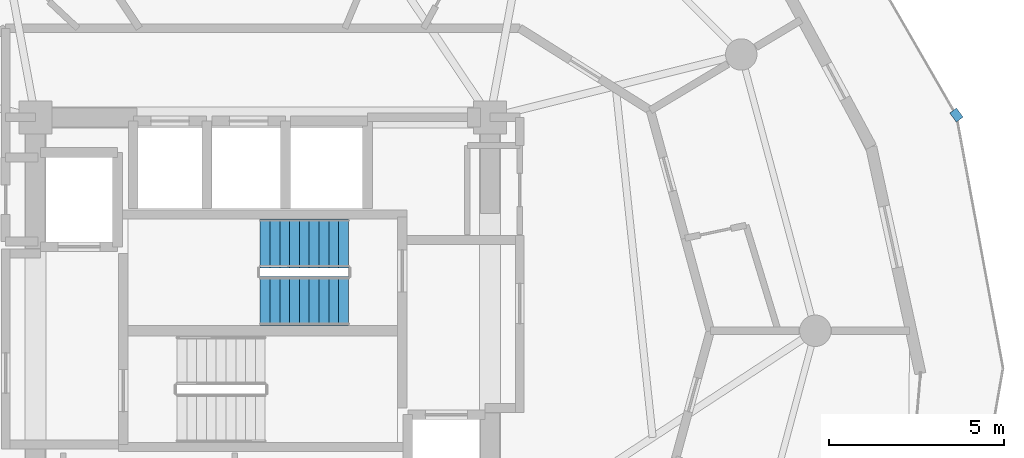
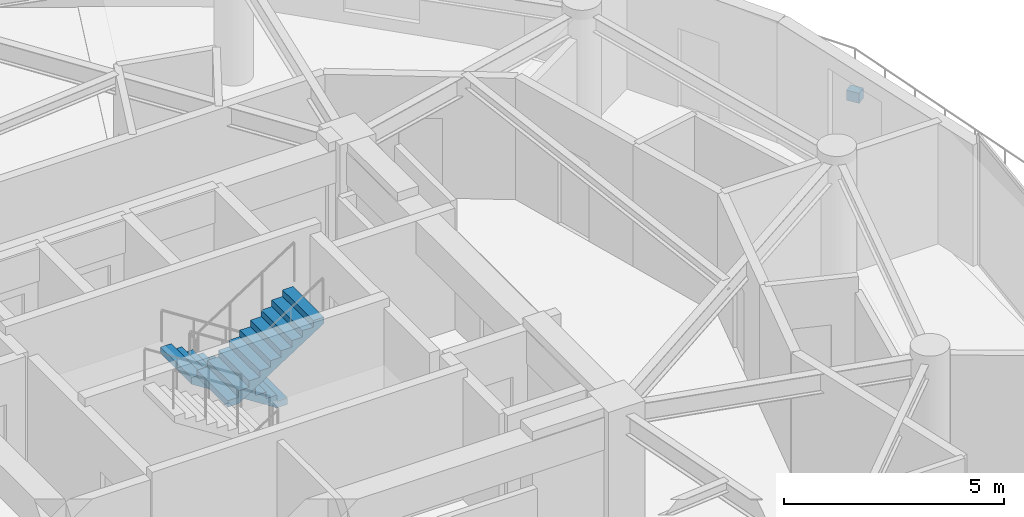
# One storey, part 21 of 23: 2 stair flights, 1 discrete accessory, 1 element without a shape of its own.
"""IFC4 building model written with IfcOpenShell, lengths in metres."""

import ifcopenshell
import ifcopenshell.guid

model = None  # the IFC model being written
_history = None  # IfcOwnerHistory: only IFC2X3 demands one
_inside = {}  # id of a spatial element -> (the spatial element, [elements in it])
_under = {}  # id of a project, library or spatial element -> (it, [spatial elements below it])
_declared = {}  # id of a project -> (the project, [libraries it declares])
_typed = {}  # id of a type object -> (the type object, [elements of that type])
_made_of = {}  # id of a material, layer set ... -> (it, [elements and type objects made of it])


def new_model(schema):
    """Start an empty IFC model of exactly this schema.

    Asked for "IFC4X3", IfcOpenShell would pick the latest addendum, in which some entities
    have other attributes; the version numbers below select the first issue.
    IFC2X3 requires an IfcOwnerHistory on every rooted entity: one is made here for all.
    """
    global model, _history
    if schema == "IFC4X3":
        model = ifcopenshell.file(schema_version=(4, 3, 0, 0))
    else:
        model = ifcopenshell.file(schema=schema)
    _inside.clear()
    _under.clear()
    _declared.clear()
    _typed.clear()
    _made_of.clear()
    _history = None
    if model.schema == "IFC2X3":
        org = make("IfcOrganization", Name="unknown")
        user = make(
            "IfcPersonAndOrganization",
            ThePerson=make("IfcPerson", FamilyName="unknown"),
            TheOrganization=org,
        )
        app = make(
            "IfcApplication",
            ApplicationDeveloper=org,
            Version="unknown",
            ApplicationFullName="unknown",
            ApplicationIdentifier="unknown",
        )
        _history = make(
            "IfcOwnerHistory",
            OwningUser=user,
            OwningApplication=app,
            ChangeAction="ADDED",
            CreationDate=0,
        )
    return model


def make(cls, **values):
    """One entity of the class cls with the attributes given. An attribute that is None is left unset."""
    return model.create_entity(
        cls, **{name: value for name, value in values.items() if value is not None}
    )


def rooted(cls, **values):
    """An entity with a GlobalId (a new one), such as an element, a storey or a relation."""
    return make(cls, GlobalId=ifcopenshell.guid.new(), OwnerHistory=_history, **values)


def si_unit(unit_type, name, prefix=None):
    """IfcSIUnit, for example si_unit("LENGTHUNIT", "METRE", prefix="MILLI")."""
    return make("IfcSIUnit", UnitType=unit_type, Prefix=prefix, Name=name)


def assignment(units):
    """IfcUnitAssignment: the units of a project."""
    return None if units is None else make("IfcUnitAssignment", Units=units)


def point(xyz):
    """IfcCartesianPoint."""
    return None if xyz is None else make("IfcCartesianPoint", Coordinates=xyz)


def direction(xyz):
    """IfcDirection."""
    return None if xyz is None else make("IfcDirection", DirectionRatios=xyz)


def frame(location, z_axis=None, x_axis=None):
    """IfcAxis2Placement3D, a coordinate frame: its origin and axes. An axis left out is left unset."""
    return make(
        "IfcAxis2Placement3D",
        Location=point(location),
        Axis=direction(z_axis),
        RefDirection=direction(x_axis),
    )


def frame_2d(location, x_axis=None):
    """IfcAxis2Placement2D, a coordinate frame in the plane: its origin and x axis."""
    return make(
        "IfcAxis2Placement2D", Location=point(location), RefDirection=direction(x_axis)
    )


def origin():
    """The frame at (0, 0, 0) with its axes left unset."""
    return frame((0.0, 0.0, 0.0))


def origin_2d():
    """The frame at (0, 0) in the plane with its x axis left unset."""
    return frame_2d((0.0, 0.0))


def place(relative_to, where):
    """IfcLocalPlacement: puts the frame where relative to a parent placement (None: the world)."""
    return make(
        "IfcLocalPlacement", PlacementRelTo=relative_to, RelativePlacement=where
    )


def context(
    kind, dimensions, precision=None, world=None, true_north=None, identifier=None
):
    """IfcGeometricRepresentationContext, for example the 3D "Model" context."""
    return make(
        "IfcGeometricRepresentationContext",
        ContextIdentifier=identifier,
        ContextType=kind,
        CoordinateSpaceDimension=dimensions,
        Precision=precision,
        WorldCoordinateSystem=world,
        TrueNorth=true_north,
    )


def subcontext(parent, identifier, kind, view, scale=None):
    """IfcGeometricRepresentationSubContext, for example "Body" below "Model"."""
    return make(
        "IfcGeometricRepresentationSubContext",
        ContextIdentifier=identifier,
        ContextType=kind,
        ParentContext=parent,
        TargetScale=scale,
        TargetView=view,
    )


def project(units=None, contexts=None):
    """IfcProject with its units and contexts."""
    return rooted(
        "IfcProject",
        Name="project",
        RepresentationContexts=contexts,
        UnitsInContext=assignment(units),
    )


def spatial(cls, under=None, at=None, **own):
    """A site, building, storey or space (cls), placed at a placement, below another one or the project."""
    s = rooted(cls, ObjectPlacement=at, **own)
    if under is not None:
        _under.setdefault(under.id(), (under, []))[1].append(s)
    return s


def polyline(points):
    """IfcPolyline through the points."""
    return make("IfcPolyline", Points=[point(p) for p in points])


def profile(cls, at=None, kind="AREA", **sizes):
    """A parametric profile (cls). Its sizes go by their IFC names, for example OverallWidth=200.0."""
    return make(cls, ProfileType=kind, Position=at, **sizes)


def rectangle(**sizes):
    """IfcRectangleProfileDef."""
    return profile("IfcRectangleProfileDef", **sizes)


def outline(outer, holes=None, kind="AREA"):
    """IfcArbitraryClosedProfileDef: a profile drawn as a closed curve; with holes, ...WithVoids."""
    if holes is None:
        return make("IfcArbitraryClosedProfileDef", ProfileType=kind, OuterCurve=outer)
    return make(
        "IfcArbitraryProfileDefWithVoids",
        ProfileType=kind,
        OuterCurve=outer,
        InnerCurves=holes,
    )


def extrude(swept, where, along, depth):
    """IfcExtrudedAreaSolid: the profile swept, set in the frame where, extruded along a direction by depth."""
    return make(
        "IfcExtrudedAreaSolid",
        SweptArea=swept,
        Position=where,
        ExtrudedDirection=direction(along),
        Depth=depth,
    )


def shape(context_of_items, identifier, shape_type, items):
    """IfcShapeRepresentation: the items that make up one representation, for example the "Body"."""
    return make(
        "IfcShapeRepresentation",
        ContextOfItems=context_of_items,
        RepresentationIdentifier=identifier,
        RepresentationType=shape_type,
        Items=items,
    )


def material(Name=None, Category=None):
    """IfcMaterial."""
    return make("IfcMaterial", Name=Name, Category=Category)


def made_of(thing, what):
    """Note that an element or type object is made of a material, layer set ...; save() writes the relation."""
    if what is not None:
        _made_of.setdefault(what.id(), (what, []))[1].append(thing)
    return thing


def type_object(cls, material=None, **own):
    """A type object (cls), such as IfcWallType, which elements share."""
    return made_of(rooted(cls, **own), material)


def element(
    cls,
    number,
    at=None,
    inside=None,
    cuts=None,
    type_object=None,
    material=None,
    context=None,
    identifier="Body",
    shape_type=None,
    held_by="IfcProductDefinitionShape",
    body=None,
    shapes=None,
    **own,
):
    """One element of the class cls, such as IfcWall. Its Tag is "e" and its number.

    at: its placement. inside: the storey or other place that contains it. cuts: it is an
    opening in that element (IfcRelVoidsElement). A single representation is given by context,
    identifier, shape_type and body (its items); several are given by shapes. held_by: the class
    of the entity that holds the representations. save() writes the other relations.
    """
    e = rooted(cls, Tag="e%d" % number, ObjectPlacement=at, **own)
    if body is not None:
        shapes = [shape(context, identifier, shape_type, body)]
    if shapes is not None:
        e.Representation = make(held_by, Representations=shapes)
    if inside is not None:
        _inside.setdefault(inside.id(), (inside, []))[1].append(e)
    if cuts is not None:
        rooted(
            "IfcRelVoidsElement", RelatingBuildingElement=cuts, RelatedOpeningElement=e
        )
    if type_object is not None:
        _typed.setdefault(type_object.id(), (type_object, []))[1].append(e)
    return made_of(e, material)


def aggregate(whole, parts):
    """IfcRelAggregates: a whole, such as a stair, and the parts it consists of."""
    return rooted("IfcRelAggregates", RelatingObject=whole, RelatedObjects=parts)


def save(model, path):
    """Write the relations noted so far, then the file.

    IfcRelAggregates (storeys below a building ...), IfcRelContainedInSpatialStructure (elements
    in a storey), IfcRelDefinesByType, IfcRelAssociatesMaterial and IfcRelDeclares: one each for
    every whole, place, type object, material and project.
    """
    for whole, parts in _under.values():
        aggregate(whole, parts)
    for where, things in _inside.values():
        rooted(
            "IfcRelContainedInSpatialStructure",
            RelatedElements=things,
            RelatingStructure=where,
        )
    for kind, things in _typed.values():
        rooted("IfcRelDefinesByType", RelatedObjects=things, RelatingType=kind)
    for what, things in _made_of.values():
        rooted("IfcRelAssociatesMaterial", RelatedObjects=things, RelatingMaterial=what)
    for by, libraries in _declared.values():
        rooted("IfcRelDeclares", RelatingContext=by, RelatedDefinitions=libraries)
    model.write(path)


model = new_model("IFC4")

# Units and contexts
model_context = context("Model", 3, precision=1e-05, world=origin(), true_north=direction((0.0, 1.0)))
body_context = subcontext(model_context, "Body", "Model", "MODEL_VIEW")
ifc_project = project(units=[si_unit("LENGTHUNIT", "METRE"), si_unit("AREAUNIT", "SQUARE_METRE"), si_unit("VOLUMEUNIT", "CUBIC_METRE"), si_unit("PLANEANGLEUNIT", "RADIAN"), si_unit("MASSUNIT", "GRAM", prefix="KILO")], contexts=[model_context])

# Site, building, storey
site_placement = place(None, origin())
site = spatial("IfcSite", under=ifc_project, at=site_placement, CompositionType="ELEMENT")
building_placement = place(site_placement, origin())
building = spatial("IfcBuilding", under=site, at=building_placement, Name="Solvirekh Grand Hotel", CompositionType="ELEMENT")
storey_placement = place(building_placement, frame((0.0, 0.0, 173.199951171875)))
storey = spatial("IfcBuildingStorey", under=building, at=storey_placement, Name="L44", CompositionType="ELEMENT", Elevation=173.199951171875)

# Stair, stair flights
ifc_material_1 = material(Name="Concrete C40/50", Category="concrete")
stair_type = type_object("IfcStairType", Name="Stair_Core_1450", PredefinedType="HALF_TURN_STAIR", material=ifc_material_1)
stair_placement = place(storey_placement, origin())
stair = element("IfcStair", 1, at=stair_placement, inside=storey, type_object=stair_type, Name="L44 Enclosed exit stair ST-2", PredefinedType="HALF_TURN_STAIR")
stair_flight_type = type_object("IfcStairFlightType", Name="Flight_Core_1450", PredefinedType="STRAIGHT", material=ifc_material_1)
stair_flight_1_placement = place(storey_placement, frame((2.449951171875, 2.5, 0.0), z_axis=(0.0, 0.0, 1.0), x_axis=(-1.0, 0.0, 0.0)))
stair_flight_1 = element("IfcStairFlight", 2, at=stair_flight_1_placement, type_object=stair_flight_type, Name="ST-2 flight 1", NumberOfRisers=10, NumberOfTreads=9, PredefinedType="STRAIGHT", RiserHeight=0.18, TreadLength=0.28, context=body_context, shape_type="SweptSolid", body=[
    extrude(outline(polyline([(0.0, 0.0), (0.0, 0.179931640625), (0.280029296875, 0.179931640625), (0.280029296875, 0.360107421875), (0.56005859375, 0.360107421875), (0.56005859375, 0.5400390625), (0.840087890625, 0.5400390625), (0.840087890625, 0.719970703125), (1.1201171875, 0.719970703125), (1.1201171875, 0.89990234375), (1.39990234375, 0.89990234375), (1.39990234375, 1.080078125), (1.679931640625, 1.080078125), (1.679931640625, 1.260009765625), (1.9599609375, 1.260009765625), (1.9599609375, 1.43994140625), (2.239990234375, 1.43994140625), (2.239990234375, 1.6201171875), (2.52001953125, 1.6201171875), (2.52001953125, 1.800048828125), (2.52001953125, 1.44189453125), (0.277099609375, 0.0), (0.0, 0.0)])), frame((0.0, 0.699951171875, 0.0), z_axis=(0.0, -1.0, 0.0), x_axis=(1.0, 0.0, 0.0)), (0.0, 0.0, 1.0), 1.39990234375),
])
stair_flight_2_placement = place(storey_placement, frame((-0.070068359375, 0.85009765625, 1.800048828125), z_axis=(0.0, 0.0, 1.0), x_axis=(1.0, 0.0, 0.0)))
stair_flight_2 = element("IfcStairFlight", 3, at=stair_flight_2_placement, type_object=stair_flight_type, Name="ST-2 flight 2", NumberOfRisers=10, NumberOfTreads=9, PredefinedType="STRAIGHT", RiserHeight=0.18, TreadLength=0.28, context=body_context, shape_type="SweptSolid", body=[
    extrude(outline(polyline([(0.0, 0.0), (0.0, 0.179931640625), (0.280029296875, 0.179931640625), (0.280029296875, 0.360107421875), (0.56005859375, 0.360107421875), (0.56005859375, 0.5400390625), (0.840087890625, 0.5400390625), (0.840087890625, 0.719970703125), (1.1201171875, 0.719970703125), (1.1201171875, 0.89990234375), (1.39990234375, 0.89990234375), (1.39990234375, 1.080078125), (1.679931640625, 1.080078125), (1.679931640625, 1.260009765625), (1.9599609375, 1.260009765625), (1.9599609375, 1.43994140625), (2.239990234375, 1.43994140625), (2.239990234375, 1.6201171875), (2.52001953125, 1.6201171875), (2.52001953125, 1.800048828125), (2.52001953125, 1.44189453125), (0.277099609375, 0.0), (0.0, 0.0)])), frame((0.0, 0.699951171875, 0.0), z_axis=(0.0, -1.0, 0.0), x_axis=(1.0, 0.0, 0.0)), (0.0, 0.0, 1.0), 1.39990234375),
])
aggregate(stair, [stair_flight_1, stair_flight_2])

# Discrete accessory
ifc_material_2 = material(Name="Steel S355", Category="steel")
discrete_accessory_type = type_object("IfcDiscreteAccessoryType", Name="Acc_ThermalBracket", PredefinedType="BRACKET", material=ifc_material_2)
discrete_accessory_placement = place(storey_placement, frame((19.8349609375, 6.16796875, -0.27978515625), z_axis=(0.0, 0.0, 1.0), x_axis=(0.59060566762, -0.806960312144, 0.0)))
element("IfcDiscreteAccessory", 4, at=discrete_accessory_placement, inside=storey, type_object=discrete_accessory_type, Name="L44 balcony thermal-break bracket", PredefinedType="BRACKET", context=body_context, shape_type="SweptSolid", body=[
    extrude(rectangle(XDim=0.320068359375, YDim=0.239990234375, at=origin_2d()), origin(), (0.0, 0.0, 1.0), 0.280029296875),
])

save(model, "model.ifc")
